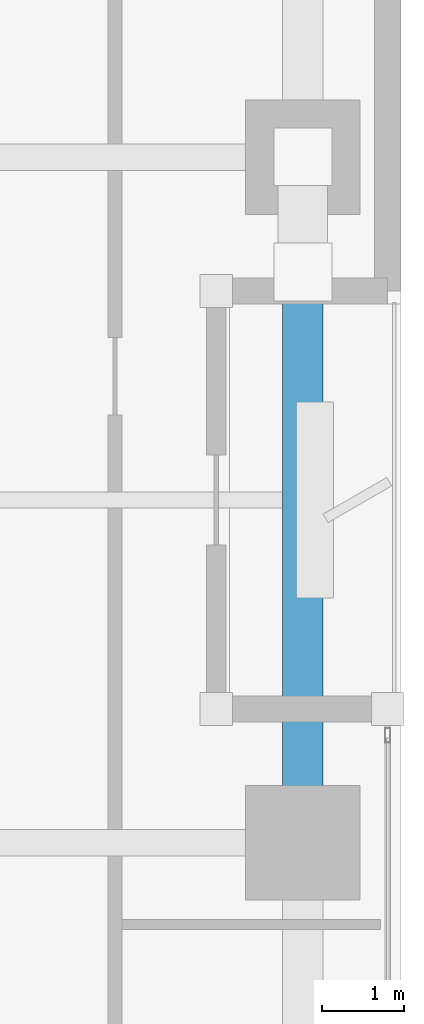
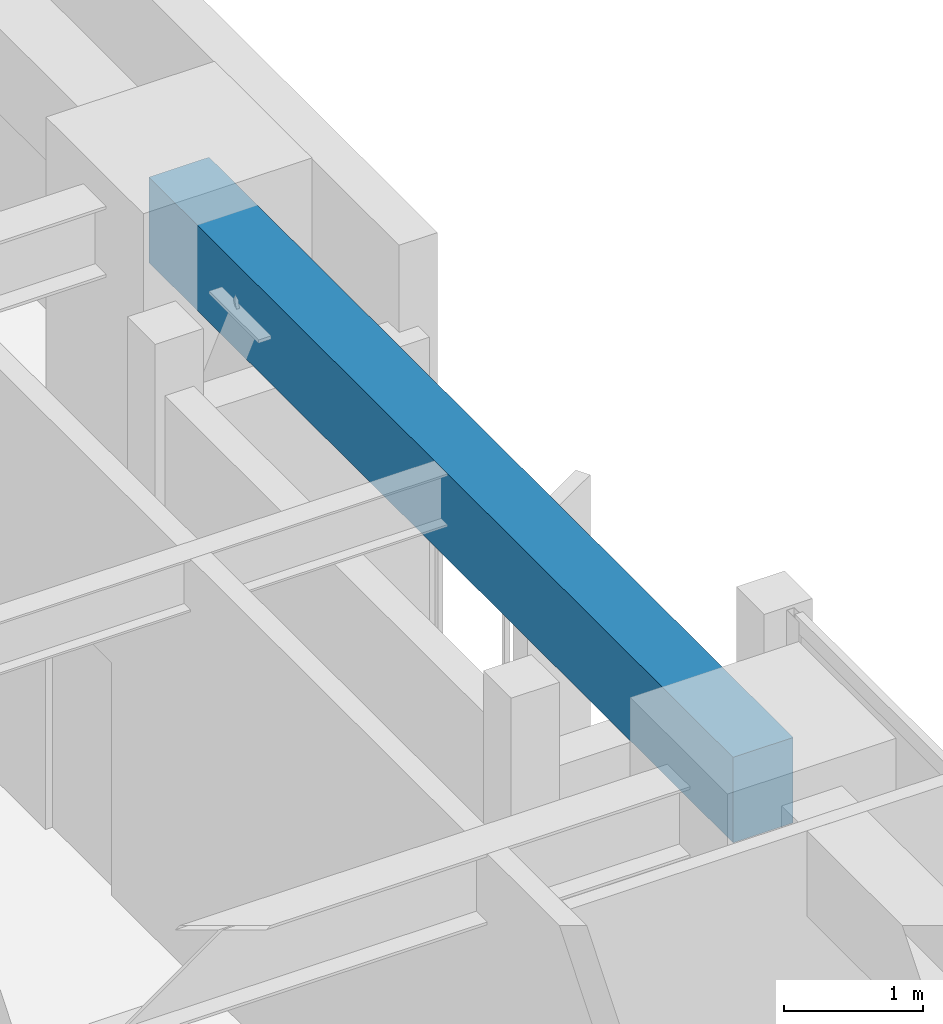
# One storey, part 7 of 24: 1 beam.
"""IFC4 building model written with IfcOpenShell, lengths in metres."""

import ifcopenshell
import ifcopenshell.guid

model = None  # the IFC model being written
_history = None  # IfcOwnerHistory: only IFC2X3 demands one
_inside = {}  # id of a spatial element -> (the spatial element, [elements in it])
_under = {}  # id of a project, library or spatial element -> (it, [spatial elements below it])
_declared = {}  # id of a project -> (the project, [libraries it declares])
_typed = {}  # id of a type object -> (the type object, [elements of that type])
_made_of = {}  # id of a material, layer set ... -> (it, [elements and type objects made of it])


def new_model(schema):
    """Start an empty IFC model of exactly this schema.

    Asked for "IFC4X3", IfcOpenShell would pick the latest addendum, in which some entities
    have other attributes; the version numbers below select the first issue.
    IFC2X3 requires an IfcOwnerHistory on every rooted entity: one is made here for all.
    """
    global model, _history
    if schema == "IFC4X3":
        model = ifcopenshell.file(schema_version=(4, 3, 0, 0))
    else:
        model = ifcopenshell.file(schema=schema)
    _inside.clear()
    _under.clear()
    _declared.clear()
    _typed.clear()
    _made_of.clear()
    _history = None
    if model.schema == "IFC2X3":
        org = make("IfcOrganization", Name="unknown")
        user = make(
            "IfcPersonAndOrganization",
            ThePerson=make("IfcPerson", FamilyName="unknown"),
            TheOrganization=org,
        )
        app = make(
            "IfcApplication",
            ApplicationDeveloper=org,
            Version="unknown",
            ApplicationFullName="unknown",
            ApplicationIdentifier="unknown",
        )
        _history = make(
            "IfcOwnerHistory",
            OwningUser=user,
            OwningApplication=app,
            ChangeAction="ADDED",
            CreationDate=0,
        )
    return model


def make(cls, **values):
    """One entity of the class cls with the attributes given. An attribute that is None is left unset."""
    return model.create_entity(
        cls, **{name: value for name, value in values.items() if value is not None}
    )


def rooted(cls, **values):
    """An entity with a GlobalId (a new one), such as an element, a storey or a relation."""
    return make(cls, GlobalId=ifcopenshell.guid.new(), OwnerHistory=_history, **values)


def si_unit(unit_type, name, prefix=None):
    """IfcSIUnit, for example si_unit("LENGTHUNIT", "METRE", prefix="MILLI")."""
    return make("IfcSIUnit", UnitType=unit_type, Prefix=prefix, Name=name)


def assignment(units):
    """IfcUnitAssignment: the units of a project."""
    return None if units is None else make("IfcUnitAssignment", Units=units)


def point(xyz):
    """IfcCartesianPoint."""
    return None if xyz is None else make("IfcCartesianPoint", Coordinates=xyz)


def direction(xyz):
    """IfcDirection."""
    return None if xyz is None else make("IfcDirection", DirectionRatios=xyz)


def frame(location, z_axis=None, x_axis=None):
    """IfcAxis2Placement3D, a coordinate frame: its origin and axes. An axis left out is left unset."""
    return make(
        "IfcAxis2Placement3D",
        Location=point(location),
        Axis=direction(z_axis),
        RefDirection=direction(x_axis),
    )


def frame_2d(location, x_axis=None):
    """IfcAxis2Placement2D, a coordinate frame in the plane: its origin and x axis."""
    return make(
        "IfcAxis2Placement2D", Location=point(location), RefDirection=direction(x_axis)
    )


def origin():
    """The frame at (0, 0, 0) with its axes left unset."""
    return frame((0.0, 0.0, 0.0))


def origin_2d():
    """The frame at (0, 0) in the plane with its x axis left unset."""
    return frame_2d((0.0, 0.0))


def place(relative_to, where):
    """IfcLocalPlacement: puts the frame where relative to a parent placement (None: the world)."""
    return make(
        "IfcLocalPlacement", PlacementRelTo=relative_to, RelativePlacement=where
    )


def context(
    kind, dimensions, precision=None, world=None, true_north=None, identifier=None
):
    """IfcGeometricRepresentationContext, for example the 3D "Model" context."""
    return make(
        "IfcGeometricRepresentationContext",
        ContextIdentifier=identifier,
        ContextType=kind,
        CoordinateSpaceDimension=dimensions,
        Precision=precision,
        WorldCoordinateSystem=world,
        TrueNorth=true_north,
    )


def subcontext(parent, identifier, kind, view, scale=None):
    """IfcGeometricRepresentationSubContext, for example "Body" below "Model"."""
    return make(
        "IfcGeometricRepresentationSubContext",
        ContextIdentifier=identifier,
        ContextType=kind,
        ParentContext=parent,
        TargetScale=scale,
        TargetView=view,
    )


def project(units=None, contexts=None):
    """IfcProject with its units and contexts."""
    return rooted(
        "IfcProject",
        Name="project",
        RepresentationContexts=contexts,
        UnitsInContext=assignment(units),
    )


def spatial(cls, under=None, at=None, **own):
    """A site, building, storey or space (cls), placed at a placement, below another one or the project."""
    s = rooted(cls, ObjectPlacement=at, **own)
    if under is not None:
        _under.setdefault(under.id(), (under, []))[1].append(s)
    return s


def profile(cls, at=None, kind="AREA", **sizes):
    """A parametric profile (cls). Its sizes go by their IFC names, for example OverallWidth=200.0."""
    return make(cls, ProfileType=kind, Position=at, **sizes)


def rectangle(**sizes):
    """IfcRectangleProfileDef."""
    return profile("IfcRectangleProfileDef", **sizes)


def extrude(swept, where, along, depth):
    """IfcExtrudedAreaSolid: the profile swept, set in the frame where, extruded along a direction by depth."""
    return make(
        "IfcExtrudedAreaSolid",
        SweptArea=swept,
        Position=where,
        ExtrudedDirection=direction(along),
        Depth=depth,
    )


def shape(context_of_items, identifier, shape_type, items):
    """IfcShapeRepresentation: the items that make up one representation, for example the "Body"."""
    return make(
        "IfcShapeRepresentation",
        ContextOfItems=context_of_items,
        RepresentationIdentifier=identifier,
        RepresentationType=shape_type,
        Items=items,
    )


def material(Name=None, Category=None):
    """IfcMaterial."""
    return make("IfcMaterial", Name=Name, Category=Category)


def material_profile(
    of_material, cross_section, Name=None, Category=None, Priority=None
):
    """IfcMaterialProfile: a cross section and its material."""
    return make(
        "IfcMaterialProfile",
        Name=Name,
        Material=of_material,
        Profile=cross_section,
        Priority=Priority,
        Category=Category,
    )


def profile_set(profiles, Name=None, composite=None):
    """IfcMaterialProfileSet."""
    return make(
        "IfcMaterialProfileSet",
        Name=Name,
        MaterialProfiles=profiles,
        CompositeProfile=composite,
    )


def made_of(thing, what):
    """Note that an element or type object is made of a material, layer set ...; save() writes the relation."""
    if what is not None:
        _made_of.setdefault(what.id(), (what, []))[1].append(thing)
    return thing


def type_object(cls, material=None, **own):
    """A type object (cls), such as IfcWallType, which elements share."""
    return made_of(rooted(cls, **own), material)


def element(
    cls,
    number,
    at=None,
    inside=None,
    cuts=None,
    type_object=None,
    material=None,
    context=None,
    identifier="Body",
    shape_type=None,
    held_by="IfcProductDefinitionShape",
    body=None,
    shapes=None,
    **own,
):
    """One element of the class cls, such as IfcWall. Its Tag is "e" and its number.

    at: its placement. inside: the storey or other place that contains it. cuts: it is an
    opening in that element (IfcRelVoidsElement). A single representation is given by context,
    identifier, shape_type and body (its items); several are given by shapes. held_by: the class
    of the entity that holds the representations. save() writes the other relations.
    """
    e = rooted(cls, Tag="e%d" % number, ObjectPlacement=at, **own)
    if body is not None:
        shapes = [shape(context, identifier, shape_type, body)]
    if shapes is not None:
        e.Representation = make(held_by, Representations=shapes)
    if inside is not None:
        _inside.setdefault(inside.id(), (inside, []))[1].append(e)
    if cuts is not None:
        rooted(
            "IfcRelVoidsElement", RelatingBuildingElement=cuts, RelatedOpeningElement=e
        )
    if type_object is not None:
        _typed.setdefault(type_object.id(), (type_object, []))[1].append(e)
    return made_of(e, material)


def aggregate(whole, parts):
    """IfcRelAggregates: a whole, such as a stair, and the parts it consists of."""
    return rooted("IfcRelAggregates", RelatingObject=whole, RelatedObjects=parts)


def save(model, path):
    """Write the relations noted so far, then the file.

    IfcRelAggregates (storeys below a building ...), IfcRelContainedInSpatialStructure (elements
    in a storey), IfcRelDefinesByType, IfcRelAssociatesMaterial and IfcRelDeclares: one each for
    every whole, place, type object, material and project.
    """
    for whole, parts in _under.values():
        aggregate(whole, parts)
    for where, things in _inside.values():
        rooted(
            "IfcRelContainedInSpatialStructure",
            RelatedElements=things,
            RelatingStructure=where,
        )
    for kind, things in _typed.values():
        rooted("IfcRelDefinesByType", RelatedObjects=things, RelatingType=kind)
    for what, things in _made_of.values():
        rooted("IfcRelAssociatesMaterial", RelatedObjects=things, RelatingMaterial=what)
    for by, libraries in _declared.values():
        rooted("IfcRelDeclares", RelatingContext=by, RelatedDefinitions=libraries)
    model.write(path)


model = new_model("IFC4")

# Units and contexts
model_context = context("Model", 3, precision=1e-05, world=origin(), true_north=direction((0.0, 1.0)))
body_context = subcontext(model_context, "Body", "Model", "MODEL_VIEW")
ifc_project = project(units=[si_unit("LENGTHUNIT", "METRE"), si_unit("AREAUNIT", "SQUARE_METRE"), si_unit("VOLUMEUNIT", "CUBIC_METRE"), si_unit("PLANEANGLEUNIT", "RADIAN"), si_unit("MASSUNIT", "GRAM", prefix="KILO")], contexts=[model_context])

# Site, building, storey
site_placement = place(None, origin())
site = spatial("IfcSite", under=ifc_project, at=site_placement, CompositionType="ELEMENT")
building_placement = place(site_placement, origin())
building = spatial("IfcBuilding", under=site, at=building_placement, Name="Kiyonajd Concourse Tower", CompositionType="ELEMENT")
storey_placement = place(building_placement, frame((0.0, 0.0, 113.10009765625)))
storey = spatial("IfcBuildingStorey", under=building, at=storey_placement, Name="L29", CompositionType="ELEMENT", Elevation=113.10009765625)

# Beam
ifc_material = material(Name="Precast concrete C50/60", Category="concrete")
ifc_material_profile = material_profile(ifc_material, rectangle(XDim=0.5, YDim=0.75, at=origin_2d()), Name="RCBM-500x750")
ifc_profile_set = profile_set([ifc_material_profile], Name="Precast concrete C50/60")
beam_type = type_object("IfcBeamType", Name="BM-SPAN-RC", PredefinedType="SPANDREL", material=ifc_profile_set)
beam_placement = place(storey_placement, frame((69.60009765625, 36.0, 3.264892578125), z_axis=(0.0, 1.0, 0.0), x_axis=(-1.0, 0.0, 0.0)))
element("IfcBeam", 1, at=beam_placement, inside=storey, type_object=beam_type, Name="L29 Perimeter Bundled Tube Spandrel", PredefinedType="SPANDREL", context=body_context, shape_type="SweptSolid", body=[
    extrude(rectangle(XDim=0.5, YDim=0.75, at=origin_2d()), origin(), (0.0, 0.0, 1.0), 8.39990234375),
])

save(model, "model.ifc")
